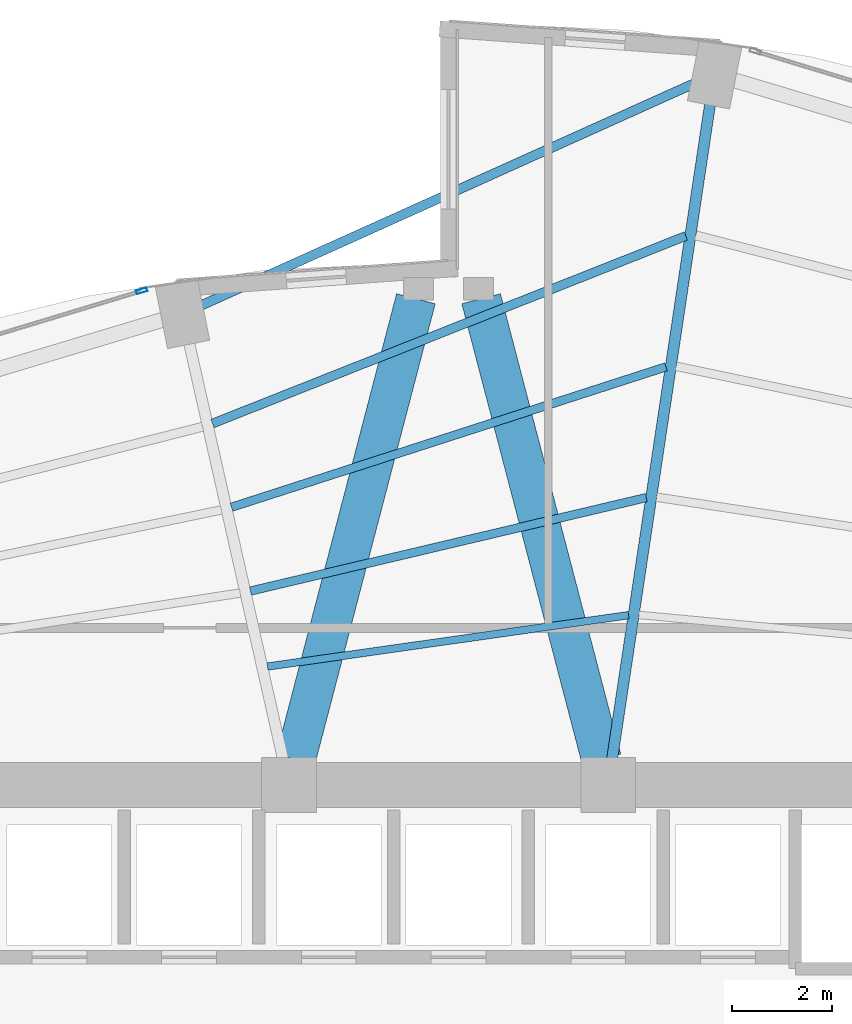
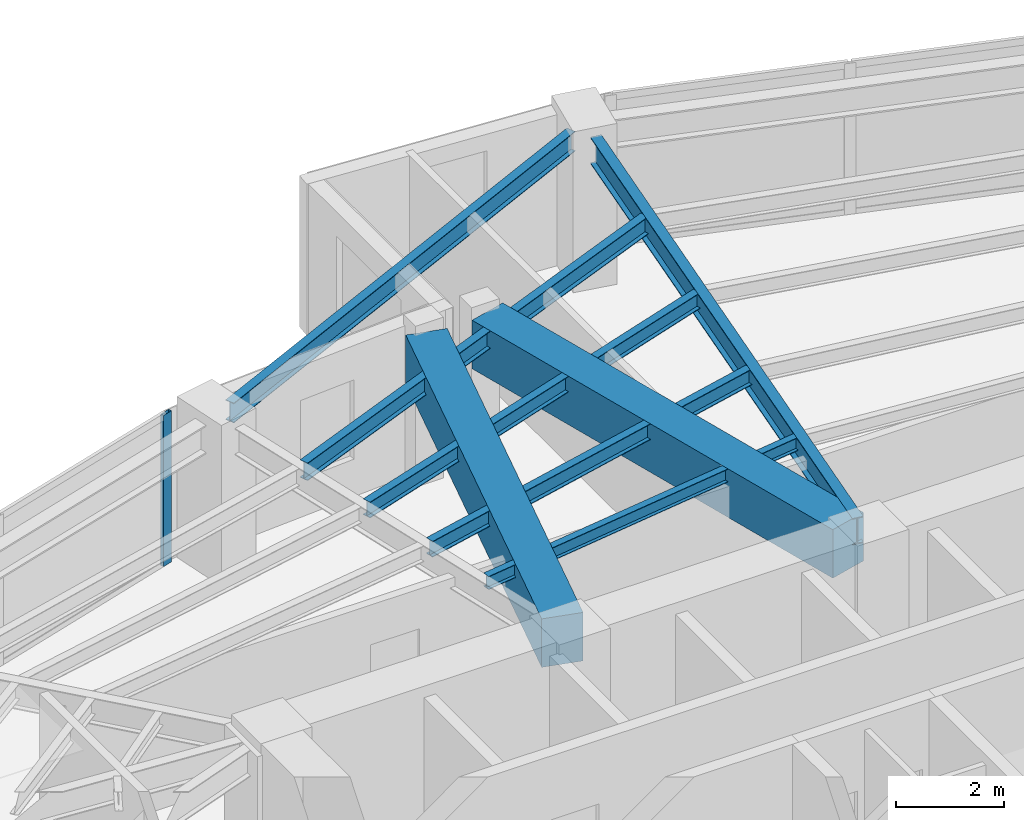
# One storey, part 15 of 24: 8 beams, 1 member, 1 element without a shape of its own.
"""IFC4 building model written with IfcOpenShell, lengths in metres."""

import ifcopenshell
import ifcopenshell.guid

model = None  # the IFC model being written
_history = None  # IfcOwnerHistory: only IFC2X3 demands one
_inside = {}  # id of a spatial element -> (the spatial element, [elements in it])
_under = {}  # id of a project, library or spatial element -> (it, [spatial elements below it])
_declared = {}  # id of a project -> (the project, [libraries it declares])
_typed = {}  # id of a type object -> (the type object, [elements of that type])
_made_of = {}  # id of a material, layer set ... -> (it, [elements and type objects made of it])


def new_model(schema):
    """Start an empty IFC model of exactly this schema.

    Asked for "IFC4X3", IfcOpenShell would pick the latest addendum, in which some entities
    have other attributes; the version numbers below select the first issue.
    IFC2X3 requires an IfcOwnerHistory on every rooted entity: one is made here for all.
    """
    global model, _history
    if schema == "IFC4X3":
        model = ifcopenshell.file(schema_version=(4, 3, 0, 0))
    else:
        model = ifcopenshell.file(schema=schema)
    _inside.clear()
    _under.clear()
    _declared.clear()
    _typed.clear()
    _made_of.clear()
    _history = None
    if model.schema == "IFC2X3":
        org = make("IfcOrganization", Name="unknown")
        user = make(
            "IfcPersonAndOrganization",
            ThePerson=make("IfcPerson", FamilyName="unknown"),
            TheOrganization=org,
        )
        app = make(
            "IfcApplication",
            ApplicationDeveloper=org,
            Version="unknown",
            ApplicationFullName="unknown",
            ApplicationIdentifier="unknown",
        )
        _history = make(
            "IfcOwnerHistory",
            OwningUser=user,
            OwningApplication=app,
            ChangeAction="ADDED",
            CreationDate=0,
        )
    return model


def make(cls, **values):
    """One entity of the class cls with the attributes given. An attribute that is None is left unset."""
    return model.create_entity(
        cls, **{name: value for name, value in values.items() if value is not None}
    )


def rooted(cls, **values):
    """An entity with a GlobalId (a new one), such as an element, a storey or a relation."""
    return make(cls, GlobalId=ifcopenshell.guid.new(), OwnerHistory=_history, **values)


def si_unit(unit_type, name, prefix=None):
    """IfcSIUnit, for example si_unit("LENGTHUNIT", "METRE", prefix="MILLI")."""
    return make("IfcSIUnit", UnitType=unit_type, Prefix=prefix, Name=name)


def assignment(units):
    """IfcUnitAssignment: the units of a project."""
    return None if units is None else make("IfcUnitAssignment", Units=units)


def point(xyz):
    """IfcCartesianPoint."""
    return None if xyz is None else make("IfcCartesianPoint", Coordinates=xyz)


def direction(xyz):
    """IfcDirection."""
    return None if xyz is None else make("IfcDirection", DirectionRatios=xyz)


def frame(location, z_axis=None, x_axis=None):
    """IfcAxis2Placement3D, a coordinate frame: its origin and axes. An axis left out is left unset."""
    return make(
        "IfcAxis2Placement3D",
        Location=point(location),
        Axis=direction(z_axis),
        RefDirection=direction(x_axis),
    )


def frame_2d(location, x_axis=None):
    """IfcAxis2Placement2D, a coordinate frame in the plane: its origin and x axis."""
    return make(
        "IfcAxis2Placement2D", Location=point(location), RefDirection=direction(x_axis)
    )


def origin():
    """The frame at (0, 0, 0) with its axes left unset."""
    return frame((0.0, 0.0, 0.0))


def origin_2d():
    """The frame at (0, 0) in the plane with its x axis left unset."""
    return frame_2d((0.0, 0.0))


def place(relative_to, where):
    """IfcLocalPlacement: puts the frame where relative to a parent placement (None: the world)."""
    return make(
        "IfcLocalPlacement", PlacementRelTo=relative_to, RelativePlacement=where
    )


def context(
    kind, dimensions, precision=None, world=None, true_north=None, identifier=None
):
    """IfcGeometricRepresentationContext, for example the 3D "Model" context."""
    return make(
        "IfcGeometricRepresentationContext",
        ContextIdentifier=identifier,
        ContextType=kind,
        CoordinateSpaceDimension=dimensions,
        Precision=precision,
        WorldCoordinateSystem=world,
        TrueNorth=true_north,
    )


def subcontext(parent, identifier, kind, view, scale=None):
    """IfcGeometricRepresentationSubContext, for example "Body" below "Model"."""
    return make(
        "IfcGeometricRepresentationSubContext",
        ContextIdentifier=identifier,
        ContextType=kind,
        ParentContext=parent,
        TargetScale=scale,
        TargetView=view,
    )


def project(units=None, contexts=None):
    """IfcProject with its units and contexts."""
    return rooted(
        "IfcProject",
        Name="project",
        RepresentationContexts=contexts,
        UnitsInContext=assignment(units),
    )


def spatial(cls, under=None, at=None, **own):
    """A site, building, storey or space (cls), placed at a placement, below another one or the project."""
    s = rooted(cls, ObjectPlacement=at, **own)
    if under is not None:
        _under.setdefault(under.id(), (under, []))[1].append(s)
    return s


def profile(cls, at=None, kind="AREA", **sizes):
    """A parametric profile (cls). Its sizes go by their IFC names, for example OverallWidth=200.0."""
    return make(cls, ProfileType=kind, Position=at, **sizes)


def rectangle(**sizes):
    """IfcRectangleProfileDef."""
    return profile("IfcRectangleProfileDef", **sizes)


def hollow_rectangle(**sizes):
    """IfcRectangleHollowProfileDef."""
    return profile("IfcRectangleHollowProfileDef", **sizes)


def i_section(**sizes):
    """IfcIShapeProfileDef."""
    return profile("IfcIShapeProfileDef", **sizes)


def extrude(swept, where, along, depth):
    """IfcExtrudedAreaSolid: the profile swept, set in the frame where, extruded along a direction by depth."""
    return make(
        "IfcExtrudedAreaSolid",
        SweptArea=swept,
        Position=where,
        ExtrudedDirection=direction(along),
        Depth=depth,
    )


def shape(context_of_items, identifier, shape_type, items):
    """IfcShapeRepresentation: the items that make up one representation, for example the "Body"."""
    return make(
        "IfcShapeRepresentation",
        ContextOfItems=context_of_items,
        RepresentationIdentifier=identifier,
        RepresentationType=shape_type,
        Items=items,
    )


def material(Name=None, Category=None):
    """IfcMaterial."""
    return make("IfcMaterial", Name=Name, Category=Category)


def layer(
    of_material, thickness, ventilated=None, Name=None, Category=None, Priority=None
):
    """IfcMaterialLayer: one layer of a wall or slab, of a material (None: an air gap)."""
    return make(
        "IfcMaterialLayer",
        Material=of_material,
        LayerThickness=thickness,
        IsVentilated=ventilated,
        Name=Name,
        Category=Category,
        Priority=Priority,
    )


def layer_set(layers, Name=None):
    """IfcMaterialLayerSet."""
    return make("IfcMaterialLayerSet", MaterialLayers=layers, LayerSetName=Name)


def material_profile(
    of_material, cross_section, Name=None, Category=None, Priority=None
):
    """IfcMaterialProfile: a cross section and its material."""
    return make(
        "IfcMaterialProfile",
        Name=Name,
        Material=of_material,
        Profile=cross_section,
        Priority=Priority,
        Category=Category,
    )


def profile_set(profiles, Name=None, composite=None):
    """IfcMaterialProfileSet."""
    return make(
        "IfcMaterialProfileSet",
        Name=Name,
        MaterialProfiles=profiles,
        CompositeProfile=composite,
    )


def made_of(thing, what):
    """Note that an element or type object is made of a material, layer set ...; save() writes the relation."""
    if what is not None:
        _made_of.setdefault(what.id(), (what, []))[1].append(thing)
    return thing


def type_object(cls, material=None, **own):
    """A type object (cls), such as IfcWallType, which elements share."""
    return made_of(rooted(cls, **own), material)


def element(
    cls,
    number,
    at=None,
    inside=None,
    cuts=None,
    type_object=None,
    material=None,
    context=None,
    identifier="Body",
    shape_type=None,
    held_by="IfcProductDefinitionShape",
    body=None,
    shapes=None,
    **own,
):
    """One element of the class cls, such as IfcWall. Its Tag is "e" and its number.

    at: its placement. inside: the storey or other place that contains it. cuts: it is an
    opening in that element (IfcRelVoidsElement). A single representation is given by context,
    identifier, shape_type and body (its items); several are given by shapes. held_by: the class
    of the entity that holds the representations. save() writes the other relations.
    """
    e = rooted(cls, Tag="e%d" % number, ObjectPlacement=at, **own)
    if body is not None:
        shapes = [shape(context, identifier, shape_type, body)]
    if shapes is not None:
        e.Representation = make(held_by, Representations=shapes)
    if inside is not None:
        _inside.setdefault(inside.id(), (inside, []))[1].append(e)
    if cuts is not None:
        rooted(
            "IfcRelVoidsElement", RelatingBuildingElement=cuts, RelatedOpeningElement=e
        )
    if type_object is not None:
        _typed.setdefault(type_object.id(), (type_object, []))[1].append(e)
    return made_of(e, material)


def aggregate(whole, parts):
    """IfcRelAggregates: a whole, such as a stair, and the parts it consists of."""
    return rooted("IfcRelAggregates", RelatingObject=whole, RelatedObjects=parts)


def save(model, path):
    """Write the relations noted so far, then the file.

    IfcRelAggregates (storeys below a building ...), IfcRelContainedInSpatialStructure (elements
    in a storey), IfcRelDefinesByType, IfcRelAssociatesMaterial and IfcRelDeclares: one each for
    every whole, place, type object, material and project.
    """
    for whole, parts in _under.values():
        aggregate(whole, parts)
    for where, things in _inside.values():
        rooted(
            "IfcRelContainedInSpatialStructure",
            RelatedElements=things,
            RelatingStructure=where,
        )
    for kind, things in _typed.values():
        rooted("IfcRelDefinesByType", RelatedObjects=things, RelatingType=kind)
    for what, things in _made_of.values():
        rooted("IfcRelAssociatesMaterial", RelatedObjects=things, RelatingMaterial=what)
    for by, libraries in _declared.values():
        rooted("IfcRelDeclares", RelatingContext=by, RelatedDefinitions=libraries)
    model.write(path)


model = new_model("IFC4")

# Units and contexts
model_context = context("Model", 3, precision=1e-05, world=origin(), true_north=direction((0.0, 1.0)))
body_context = subcontext(model_context, "Body", "Model", "MODEL_VIEW")
ifc_project = project(units=[si_unit("LENGTHUNIT", "METRE"), si_unit("AREAUNIT", "SQUARE_METRE"), si_unit("VOLUMEUNIT", "CUBIC_METRE"), si_unit("PLANEANGLEUNIT", "RADIAN"), si_unit("MASSUNIT", "GRAM", prefix="KILO")], contexts=[model_context])

# Site, building, storey
site_placement = place(None, origin())
site = spatial("IfcSite", under=ifc_project, at=site_placement, CompositionType="ELEMENT")
building_placement = place(site_placement, origin())
building = spatial("IfcBuilding", under=site, at=building_placement, Name="Lazwardi Medical Tower", CompositionType="ELEMENT")
storey_placement = place(building_placement, frame((0.0, 0.0, 65.327880859375)))
storey = spatial("IfcBuildingStorey", under=building, at=storey_placement, Name="L16", CompositionType="ELEMENT", Elevation=65.327880859375)

# Beams
ifc_material_1 = material(Name="Concrete C70/85", Category="concrete")
ifc_material_profile_1 = material_profile(ifc_material_1, rectangle(XDim=0.800048828125, YDim=1.10009765625, at=origin_2d()), Name="RC 800x1100")
ifc_profile_set_1 = profile_set([ifc_material_profile_1], Name="Concrete C70/85")
beam_type_1 = type_object("IfcBeamType", Name="BM-CB-RC1", PredefinedType="LINTEL", material=ifc_profile_set_1)
for number, where, z_axis, x_axis, name in (
    (1, (32.935302734375, 36.11767578125, 2.878173828125), (0.252819877511, 0.967513364009, 0.0), (-0.967513364009, 0.252819877511, 0.0), "Core coupling lintel CB-01 PL1 L16"),
    (2, (39.064697265625, 36.11767578125, 2.878173828125), (-0.252819877511, 0.967513364009, 0.0), (-0.967513364009, -0.252819877511, 0.0), "Core coupling lintel CB-01 PL2 L16"),
):
    element("IfcBeam", number, at=place(storey_placement, frame(where, z_axis=z_axis, x_axis=x_axis)), inside=storey, type_object=beam_type_1, Name=name, PredefinedType="LINTEL", context=body_context, shape_type="SweptSolid", body=[
        extrude(rectangle(XDim=0.800048828125, YDim=1.10009765625, at=origin_2d()), origin(), (0.0, 0.0, 1.0), 9.538818359375),
    ])
ifc_material_2 = material(Name="Steel S355", Category="steel")
ifc_material_profile_2 = material_profile(ifc_material_2, i_section(OverallWidth=0.219970703125, OverallDepth=0.60009765625, WebThickness=0.011962890625, FlangeThickness=0.01904296875, at=origin_2d()), Name="IPE 600")
ifc_profile_set_2 = profile_set([ifc_material_profile_2], Name="Steel S355")
beam_type_2 = type_object("IfcBeamType", Name="BM-RG-W1", PredefinedType="BEAM", material=ifc_profile_set_2)
beam_1_placement = place(storey_placement, frame((41.2451171875, 49.2705078125, 3.128173828125), z_axis=(-0.147944218183, -0.98899570692, 0.0), x_axis=(0.98899570692, -0.147944218183, 0.0)))
element("IfcBeam", 3, at=beam_1_placement, inside=storey, type_object=beam_type_2, Name="Radial girder RG-02 R08 L16", PredefinedType="BEAM", context=body_context, shape_type="SweptSolid", body=[
    extrude(i_section(OverallWidth=0.219970703125, OverallDepth=0.60009765625, WebThickness=0.011962890625, FlangeThickness=0.01904296875, at=origin_2d()), origin(), (0.0, 0.0, 1.0), 13.28759765625),
])
ifc_material_profile_3 = material_profile(ifc_material_2, i_section(OverallWidth=0.179931640625, OverallDepth=0.39990234375, WebThickness=0.008544921875, FlangeThickness=0.013427734375, at=origin_2d()), Name="IPE 400")
ifc_profile_set_3 = profile_set([ifc_material_profile_3], Name="Steel S355")
beam_type_3 = type_object("IfcBeamType", Name="BM-SJ-01", PredefinedType="JOIST", material=ifc_profile_set_3)
beam_2_placement = place(storey_placement, frame((40.754150390625, 46.603515625, 3.22802734375), z_axis=(-0.929663713752, -0.368409255222, 0.0), x_axis=(0.368409255222, -0.929663713752, 0.0)))
element("IfcBeam", 4, at=beam_2_placement, inside=storey, type_object=beam_type_3, Name="Secondary joist SJ-01 R1 B08 L16", PredefinedType="JOIST", context=body_context, shape_type="SweptSolid", body=[
    extrude(i_section(OverallWidth=0.179931640625, OverallDepth=0.39990234375, WebThickness=0.008544921875, FlangeThickness=0.013427734375, at=origin_2d()), origin(), (0.0, 0.0, 1.0), 10.2001953125),
])
ifc_material_profile_4 = material_profile(ifc_material_2, i_section(OverallWidth=0.169921875, OverallDepth=0.360107421875, WebThickness=0.008056640625, FlangeThickness=0.0126953125, at=origin_2d()), Name="IPE 360")
ifc_profile_set_4 = profile_set([ifc_material_profile_4], Name="Steel S355")
beam_type_4 = type_object("IfcBeamType", Name="BM-SJ-02", PredefinedType="JOIST", material=ifc_profile_set_4)
beam_3_placement = place(storey_placement, frame((40.35888671875, 43.981689453125, 3.248046875), z_axis=(-0.951558895485, -0.307466532199, 0.0), x_axis=(0.307466532199, -0.951558895485, 0.0)))
element("IfcBeam", 5, at=beam_3_placement, inside=storey, type_object=beam_type_4, Name="Secondary joist SJ-02 R2 B08 L16", PredefinedType="JOIST", context=body_context, shape_type="SweptSolid", body=[
    extrude(i_section(OverallWidth=0.169921875, OverallDepth=0.360107421875, WebThickness=0.008056640625, FlangeThickness=0.0126953125, at=origin_2d()), origin(), (0.0, 0.0, 1.0), 9.1513671875),
])
beam_4_placement = place(storey_placement, frame((39.96337890625, 41.361572265625, 3.248046875), z_axis=(-0.973240904247, -0.229787167397, 0.0), x_axis=(0.229787167397, -0.973240904247, 0.0)))
element("IfcBeam", 6, at=beam_4_placement, inside=storey, type_object=beam_type_4, Name="Secondary joist SJ-02 R3 B08 L16", PredefinedType="JOIST", context=body_context, shape_type="SweptSolid", body=[
    extrude(i_section(OverallWidth=0.169921875, OverallDepth=0.360107421875, WebThickness=0.008056640625, FlangeThickness=0.0126953125, at=origin_2d()), origin(), (0.0, 0.0, 1.0), 8.151123046875),
])
ifc_material_profile_5 = material_profile(ifc_material_2, i_section(OverallWidth=0.14990234375, OverallDepth=0.300048828125, WebThickness=0.007080078125, FlangeThickness=0.0107421875, at=origin_2d()), Name="IPE 300")
ifc_profile_set_5 = profile_set([ifc_material_profile_5], Name="Steel S355")
beam_type_5 = type_object("IfcBeamType", Name="BM-SJ-03", PredefinedType="JOIST", material=ifc_profile_set_5)
beam_5_placement = place(storey_placement, frame((39.607666015625, 39.00537109375, 3.278076171875), z_axis=(-0.99001552228, -0.140958382672, 0.0), x_axis=(0.140958382672, -0.99001552228, 0.0)))
element("IfcBeam", 7, at=beam_5_placement, inside=storey, type_object=beam_type_5, Name="Secondary joist SJ-03 R4 B08 L16", PredefinedType="JOIST", context=body_context, shape_type="SweptSolid", body=[
    extrude(i_section(OverallWidth=0.14990234375, OverallDepth=0.300048828125, WebThickness=0.007080078125, FlangeThickness=0.0107421875, at=origin_2d()), origin(), (0.0, 0.0, 1.0), 7.30908203125),
])
ifc_material_profile_6 = material_profile(ifc_material_2, i_section(OverallWidth=0.18994140625, OverallDepth=0.449951171875, WebThickness=0.009521484375, FlangeThickness=0.0146484375, at=origin_2d()), Name="IPE 450")
ifc_profile_set_6 = profile_set([ifc_material_profile_6], Name="Steel S355")
beam_type_6 = type_object("IfcBeamType", Name="BM-SP-01", PredefinedType="SPANDREL", material=ifc_profile_set_6)
beam_6_placement = place(storey_placement, frame((40.94775390625, 49.671630859375, 3.203125), z_axis=(-0.91184908894, -0.410525564368, 0.0), x_axis=(0.410525564368, -0.91184908894, 0.0)))
element("IfcBeam", 8, at=beam_6_placement, inside=storey, type_object=beam_type_6, Name="Spandrel beam SP-01 B08 L16", PredefinedType="SPANDREL", context=body_context, shape_type="SweptSolid", body=[
    extrude(i_section(OverallWidth=0.18994140625, OverallDepth=0.449951171875, WebThickness=0.009521484375, FlangeThickness=0.0146484375, at=origin_2d()), origin(), (0.0, 0.0, 1.0), 10.85205078125),
])

# Curtain wall, member
ifc_material_3 = material(Name="Anodised bronze aluminium and solar control glazing", Category="aluminium")
ifc_layer = layer(ifc_material_3, 0.199951171875)
ifc_layer_set = layer_set([ifc_layer], Name="Anodised bronze aluminium and solar control glazing")
curtain_wall_type = type_object("IfcCurtainWallType", Name="CW-SYS-02", PredefinedType="NOTDEFINED", material=ifc_layer_set)
curtain_wall_placement = place(storey_placement, origin())
curtain_wall = element("IfcCurtainWall", 9, at=curtain_wall_placement, inside=storey, type_object=curtain_wall_type, Name="L16 Unitised bronze curtain wall CW-02", PredefinedType="NOTDEFINED")
ifc_material_4 = material(Name="Anodised bronze aluminium", Category="aluminium")
ifc_material_profile_7 = material_profile(ifc_material_4, hollow_rectangle(XDim=0.074951171875, YDim=0.219970703125, WallThickness=0.00390625, at=origin_2d()), Name="ALU-MULLION 220x75x4")
ifc_profile_set_7 = profile_set([ifc_material_profile_7], Name="Anodised bronze aluminium")
member_type = type_object("IfcMemberType", Name="CW-MUL-01", PredefinedType="MULLION", material=ifc_profile_set_7)
member_placement = place(storey_placement, frame((29.85205078125, 45.503662109375, 0.0), z_axis=(0.0, 0.0, 1.0), x_axis=(0.2898956909, -0.957058247129, 0.0)))
member = element("IfcMember", 10, at=member_placement, type_object=member_type, Name="CW-02 mullion 1", PredefinedType="MULLION", context=body_context, shape_type="SweptSolid", body=[
    extrude(hollow_rectangle(XDim=0.074951171875, YDim=0.219970703125, WallThickness=0.00390625, at=origin_2d()), origin(), (0.0, 0.0, 1.0), 3.42822265625),
])
aggregate(curtain_wall, [member])

save(model, "model.ifc")
